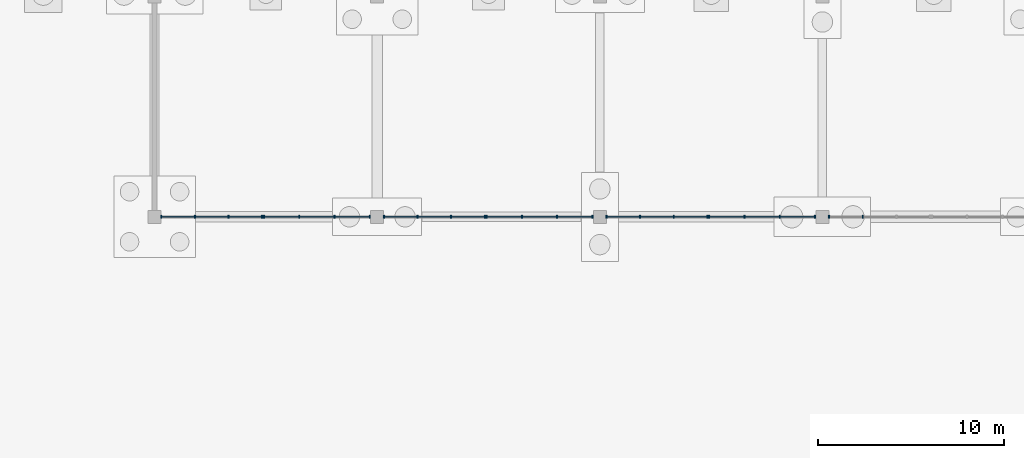
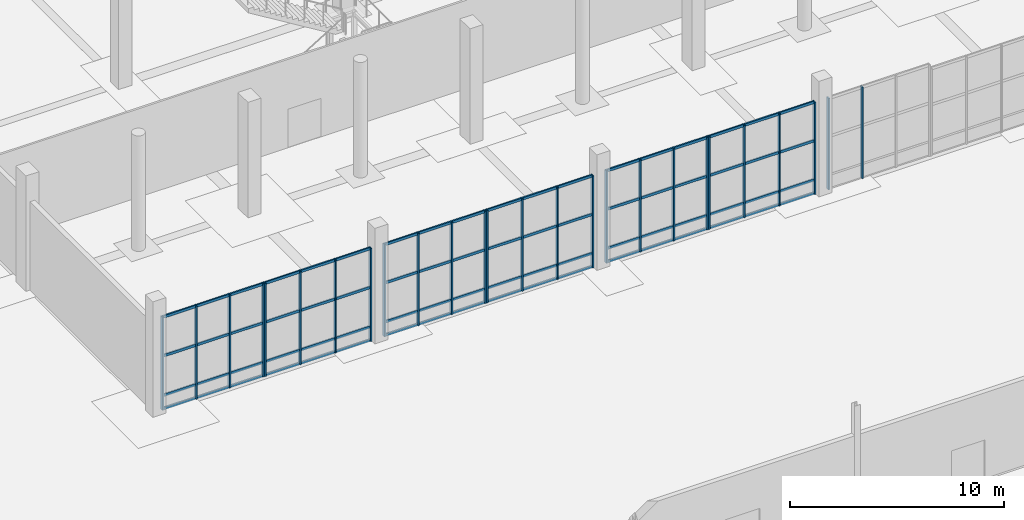
# One storey, part 47 of 117: 50 members, 7 elements without a shape of their own.
"""IFC4 building model written with IfcOpenShell, lengths in metres."""

from ifc_helpers import new_model, si_unit, direction, frame, origin, origin_2d, place, context, subcontext, project, spatial, rectangle, extrude, material, material_profile, profile_set, type_object, element, aggregate, save


model = new_model("IFC4")

# Units and contexts
model_context = context("Model", 3, precision=1e-05, world=origin(), true_north=direction((0.0, 1.0)))
body_context = subcontext(model_context, "Body", "Model", "MODEL_VIEW")
ifc_project = project(units=[si_unit("LENGTHUNIT", "METRE"), si_unit("AREAUNIT", "SQUARE_METRE"), si_unit("VOLUMEUNIT", "CUBIC_METRE"), si_unit("PLANEANGLEUNIT", "RADIAN"), si_unit("MASSUNIT", "GRAM", prefix="KILO")], contexts=[model_context])

# Site, building, storey
site_placement = place(None, origin())
site = spatial("IfcSite", under=ifc_project, at=site_placement, CompositionType="ELEMENT")
building_placement = place(site_placement, origin())
building = spatial("IfcBuilding", under=site, at=building_placement, Name="Kamomehara Wholesale Market", CompositionType="ELEMENT")
storey_placement = place(building_placement, origin())
storey = spatial("IfcBuildingStorey", under=building, at=storey_placement, Name="L00", CompositionType="ELEMENT", Elevation=0.0)

# Curtain wall, members
ifc_material_1 = material(Name="Anodised aluminium 6063-T5", Category="aluminium")
curtain_wall_type = type_object("IfcCurtainWallType", Name="CW-UN-03", PredefinedType="NOTDEFINED", material=ifc_material_1)
curtain_wall_1_placement = place(storey_placement, origin())
curtain_wall_1 = element("IfcCurtainWall", 1, at=curtain_wall_1_placement, inside=storey, type_object=curtain_wall_type, Name="Unitised curtain wall CW-015", PredefinedType="NOTDEFINED")
ifc_material_2 = material(Name="Anodised aluminium 6063-T5", Category="aluminium")
ifc_material_profile_1 = material_profile(ifc_material_2, rectangle(XDim=0.074951171875, YDim=0.179931640625, at=origin_2d()), Name="ALU-MUL-75x180")
ifc_profile_set_1 = profile_set([ifc_material_profile_1], Name="Anodised aluminium 6063-T5")
member_type_1 = type_object("IfcMemberType", Name="CW-MUL-180", PredefinedType="MULLION", material=ifc_profile_set_1)
member_1_placement = place(storey_placement, frame((83.60009765625, 96.0, 0.0), z_axis=(0.0, 0.0, 1.0), x_axis=(-1.0, 0.0, 0.0)))
member_1 = element("IfcMember", 2, at=member_1_placement, type_object=member_type_1, Name="Mullion CW-015.0", PredefinedType="MULLION", context=body_context, shape_type="SweptSolid", body=[
    extrude(rectangle(XDim=0.074951171875, YDim=0.179931640625, at=origin_2d()), origin(), (0.0, 0.0, 1.0), 5.318115234375),
])
member_2_placement = place(storey_placement, frame((81.699951171875, 96.0, 0.0), z_axis=(0.0, 0.0, 1.0), x_axis=(-1.0, 0.0, 0.0)))
member_2 = element("IfcMember", 3, at=member_2_placement, type_object=member_type_1, Name="Mullion CW-015.1", PredefinedType="MULLION", context=body_context, shape_type="SweptSolid", body=[
    extrude(rectangle(XDim=0.074951171875, YDim=0.179931640625, at=origin_2d()), origin(), (0.0, 0.0, 1.0), 5.318115234375),
])
member_3_placement = place(storey_placement, frame((79.800048828125, 96.0, 0.0), z_axis=(0.0, 0.0, 1.0), x_axis=(-1.0, 0.0, 0.0)))
member_3 = element("IfcMember", 4, at=member_3_placement, type_object=member_type_1, Name="Mullion CW-015.2", PredefinedType="MULLION", context=body_context, shape_type="SweptSolid", body=[
    extrude(rectangle(XDim=0.074951171875, YDim=0.179931640625, at=origin_2d()), origin(), (0.0, 0.0, 1.0), 5.318115234375),
])
member_4_placement = place(storey_placement, frame((77.89990234375, 96.0, 0.0), z_axis=(0.0, 0.0, 1.0), x_axis=(-1.0, 0.0, 0.0)))
member_4 = element("IfcMember", 5, at=member_4_placement, type_object=member_type_1, Name="Mullion CW-015.3", PredefinedType="MULLION", context=body_context, shape_type="SweptSolid", body=[
    extrude(rectangle(XDim=0.074951171875, YDim=0.179931640625, at=origin_2d()), origin(), (0.0, 0.0, 1.0), 5.318115234375),
])

curtain_wall_2_placement = place(storey_placement, origin())
curtain_wall_2 = element("IfcCurtainWall", 6, at=curtain_wall_2_placement, inside=storey, type_object=curtain_wall_type, Name="Unitised curtain wall CW-016", PredefinedType="NOTDEFINED")
member_5_placement = place(storey_placement, frame((77.800048828125, 96.0, 0.0), z_axis=(0.0, 0.0, 1.0), x_axis=(-1.0, 0.0, 0.0)))
member_5 = element("IfcMember", 7, at=member_5_placement, type_object=member_type_1, Name="Mullion CW-016.0", PredefinedType="MULLION", context=body_context, shape_type="SweptSolid", body=[
    extrude(rectangle(XDim=0.074951171875, YDim=0.179931640625, at=origin_2d()), origin(), (0.0, 0.0, 1.0), 5.318115234375),
])
member_6_placement = place(storey_placement, frame((75.987060546875, 96.0, 0.0), z_axis=(0.0, 0.0, 1.0), x_axis=(-1.0, 0.0, 0.0)))
member_6 = element("IfcMember", 8, at=member_6_placement, type_object=member_type_1, Name="Mullion CW-016.1", PredefinedType="MULLION", context=body_context, shape_type="SweptSolid", body=[
    extrude(rectangle(XDim=0.074951171875, YDim=0.179931640625, at=origin_2d()), origin(), (0.0, 0.0, 1.0), 5.318115234375),
])
member_7_placement = place(storey_placement, frame((74.173095703125, 96.0, 0.0), z_axis=(0.0, 0.0, 1.0), x_axis=(-1.0, 0.0, 0.0)))
member_7 = element("IfcMember", 9, at=member_7_placement, type_object=member_type_1, Name="Mullion CW-016.2", PredefinedType="MULLION", context=body_context, shape_type="SweptSolid", body=[
    extrude(rectangle(XDim=0.074951171875, YDim=0.179931640625, at=origin_2d()), origin(), (0.0, 0.0, 1.0), 5.318115234375),
])
member_8_placement = place(storey_placement, frame((72.360107421875, 96.0, 0.0), z_axis=(0.0, 0.0, 1.0), x_axis=(-1.0, 0.0, 0.0)))
member_8 = element("IfcMember", 10, at=member_8_placement, type_object=member_type_1, Name="Mullion CW-016.3", PredefinedType="MULLION", context=body_context, shape_type="SweptSolid", body=[
    extrude(rectangle(XDim=0.074951171875, YDim=0.179931640625, at=origin_2d()), origin(), (0.0, 0.0, 1.0), 5.318115234375),
])

curtain_wall_3_placement = place(storey_placement, origin())
curtain_wall_3 = element("IfcCurtainWall", 11, at=curtain_wall_3_placement, inside=storey, type_object=curtain_wall_type, Name="Unitised curtain wall CW-017", PredefinedType="NOTDEFINED")
member_9_placement = place(storey_placement, frame((95.60009765625, 96.0, 0.0), z_axis=(0.0, 0.0, 1.0), x_axis=(-1.0, 0.0, 0.0)))
member_9 = element("IfcMember", 12, at=member_9_placement, type_object=member_type_1, Name="Mullion CW-017.0", PredefinedType="MULLION", context=body_context, shape_type="SweptSolid", body=[
    extrude(rectangle(XDim=0.074951171875, YDim=0.179931640625, at=origin_2d()), origin(), (0.0, 0.0, 1.0), 5.26806640625),
])
member_10_placement = place(storey_placement, frame((93.699951171875, 96.0, 0.0), z_axis=(0.0, 0.0, 1.0), x_axis=(-1.0, 0.0, 0.0)))
member_10 = element("IfcMember", 13, at=member_10_placement, type_object=member_type_1, Name="Mullion CW-017.1", PredefinedType="MULLION", context=body_context, shape_type="SweptSolid", body=[
    extrude(rectangle(XDim=0.074951171875, YDim=0.179931640625, at=origin_2d()), origin(), (0.0, 0.0, 1.0), 5.26806640625),
])
member_11_placement = place(storey_placement, frame((91.800048828125, 96.0, 0.0), z_axis=(0.0, 0.0, 1.0), x_axis=(-1.0, 0.0, 0.0)))
member_11 = element("IfcMember", 14, at=member_11_placement, type_object=member_type_1, Name="Mullion CW-017.2", PredefinedType="MULLION", context=body_context, shape_type="SweptSolid", body=[
    extrude(rectangle(XDim=0.074951171875, YDim=0.179931640625, at=origin_2d()), origin(), (0.0, 0.0, 1.0), 5.26806640625),
])
member_12_placement = place(storey_placement, frame((89.89990234375, 96.0, 0.0), z_axis=(0.0, 0.0, 1.0), x_axis=(-1.0, 0.0, 0.0)))
member_12 = element("IfcMember", 15, at=member_12_placement, type_object=member_type_1, Name="Mullion CW-017.3", PredefinedType="MULLION", context=body_context, shape_type="SweptSolid", body=[
    extrude(rectangle(XDim=0.074951171875, YDim=0.179931640625, at=origin_2d()), origin(), (0.0, 0.0, 1.0), 5.26806640625),
])

curtain_wall_4_placement = place(storey_placement, origin())
curtain_wall_4 = element("IfcCurtainWall", 16, at=curtain_wall_4_placement, inside=storey, type_object=curtain_wall_type, Name="Unitised curtain wall CW-018", PredefinedType="NOTDEFINED")
member_13_placement = place(storey_placement, frame((89.800048828125, 96.0, 0.0), z_axis=(0.0, 0.0, 1.0), x_axis=(-1.0, 0.0, 0.0)))
member_13 = element("IfcMember", 17, at=member_13_placement, type_object=member_type_1, Name="Mullion CW-018.0", PredefinedType="MULLION", context=body_context, shape_type="SweptSolid", body=[
    extrude(rectangle(XDim=0.074951171875, YDim=0.179931640625, at=origin_2d()), origin(), (0.0, 0.0, 1.0), 5.26806640625),
])
member_14_placement = place(storey_placement, frame((87.987060546875, 96.0, 0.0), z_axis=(0.0, 0.0, 1.0), x_axis=(-1.0, 0.0, 0.0)))
member_14 = element("IfcMember", 18, at=member_14_placement, type_object=member_type_1, Name="Mullion CW-018.1", PredefinedType="MULLION", context=body_context, shape_type="SweptSolid", body=[
    extrude(rectangle(XDim=0.074951171875, YDim=0.179931640625, at=origin_2d()), origin(), (0.0, 0.0, 1.0), 5.26806640625),
])
member_15_placement = place(storey_placement, frame((86.173095703125, 96.0, 0.0), z_axis=(0.0, 0.0, 1.0), x_axis=(-1.0, 0.0, 0.0)))
member_15 = element("IfcMember", 19, at=member_15_placement, type_object=member_type_1, Name="Mullion CW-018.2", PredefinedType="MULLION", context=body_context, shape_type="SweptSolid", body=[
    extrude(rectangle(XDim=0.074951171875, YDim=0.179931640625, at=origin_2d()), origin(), (0.0, 0.0, 1.0), 5.26806640625),
])
member_16_placement = place(storey_placement, frame((84.360107421875, 96.0, 0.0), z_axis=(0.0, 0.0, 1.0), x_axis=(-1.0, 0.0, 0.0)))
member_16 = element("IfcMember", 20, at=member_16_placement, type_object=member_type_1, Name="Mullion CW-018.3", PredefinedType="MULLION", context=body_context, shape_type="SweptSolid", body=[
    extrude(rectangle(XDim=0.074951171875, YDim=0.179931640625, at=origin_2d()), origin(), (0.0, 0.0, 1.0), 5.26806640625),
])

curtain_wall_5_placement = place(storey_placement, origin())
curtain_wall_5 = element("IfcCurtainWall", 21, at=curtain_wall_5_placement, inside=storey, type_object=curtain_wall_type, Name="Unitised curtain wall CW-019", PredefinedType="NOTDEFINED")
member_17_placement = place(storey_placement, frame((107.60009765625, 96.0, 0.0), z_axis=(0.0, 0.0, 1.0), x_axis=(-1.0, 0.0, 0.0)))
member_17 = element("IfcMember", 22, at=member_17_placement, type_object=member_type_1, Name="Mullion CW-019.0", PredefinedType="MULLION", context=body_context, shape_type="SweptSolid", body=[
    extrude(rectangle(XDim=0.074951171875, YDim=0.179931640625, at=origin_2d()), origin(), (0.0, 0.0, 1.0), 5.278076171875),
])
member_18_placement = place(storey_placement, frame((105.699951171875, 96.0, 0.0), z_axis=(0.0, 0.0, 1.0), x_axis=(-1.0, 0.0, 0.0)))
member_18 = element("IfcMember", 23, at=member_18_placement, type_object=member_type_1, Name="Mullion CW-019.1", PredefinedType="MULLION", context=body_context, shape_type="SweptSolid", body=[
    extrude(rectangle(XDim=0.074951171875, YDim=0.179931640625, at=origin_2d()), origin(), (0.0, 0.0, 1.0), 5.278076171875),
])
member_19_placement = place(storey_placement, frame((103.800048828125, 96.0, 0.0), z_axis=(0.0, 0.0, 1.0), x_axis=(-1.0, 0.0, 0.0)))
member_19 = element("IfcMember", 24, at=member_19_placement, type_object=member_type_1, Name="Mullion CW-019.2", PredefinedType="MULLION", context=body_context, shape_type="SweptSolid", body=[
    extrude(rectangle(XDim=0.074951171875, YDim=0.179931640625, at=origin_2d()), origin(), (0.0, 0.0, 1.0), 5.278076171875),
])
member_20_placement = place(storey_placement, frame((101.89990234375, 96.0, 0.0), z_axis=(0.0, 0.0, 1.0), x_axis=(-1.0, 0.0, 0.0)))
member_20 = element("IfcMember", 25, at=member_20_placement, type_object=member_type_1, Name="Mullion CW-019.3", PredefinedType="MULLION", context=body_context, shape_type="SweptSolid", body=[
    extrude(rectangle(XDim=0.074951171875, YDim=0.179931640625, at=origin_2d()), origin(), (0.0, 0.0, 1.0), 5.278076171875),
])

curtain_wall_6_placement = place(storey_placement, origin())
curtain_wall_6 = element("IfcCurtainWall", 26, at=curtain_wall_6_placement, inside=storey, type_object=curtain_wall_type, Name="Unitised curtain wall CW-020", PredefinedType="NOTDEFINED")
member_21_placement = place(storey_placement, frame((101.800048828125, 96.0, 0.0), z_axis=(0.0, 0.0, 1.0), x_axis=(-1.0, 0.0, 0.0)))
member_21 = element("IfcMember", 27, at=member_21_placement, type_object=member_type_1, Name="Mullion CW-020.0", PredefinedType="MULLION", context=body_context, shape_type="SweptSolid", body=[
    extrude(rectangle(XDim=0.074951171875, YDim=0.179931640625, at=origin_2d()), origin(), (0.0, 0.0, 1.0), 5.278076171875),
])
member_22_placement = place(storey_placement, frame((99.987060546875, 96.0, 0.0), z_axis=(0.0, 0.0, 1.0), x_axis=(-1.0, 0.0, 0.0)))
member_22 = element("IfcMember", 28, at=member_22_placement, type_object=member_type_1, Name="Mullion CW-020.1", PredefinedType="MULLION", context=body_context, shape_type="SweptSolid", body=[
    extrude(rectangle(XDim=0.074951171875, YDim=0.179931640625, at=origin_2d()), origin(), (0.0, 0.0, 1.0), 5.278076171875),
])
member_23_placement = place(storey_placement, frame((98.173095703125, 96.0, 0.0), z_axis=(0.0, 0.0, 1.0), x_axis=(-1.0, 0.0, 0.0)))
member_23 = element("IfcMember", 29, at=member_23_placement, type_object=member_type_1, Name="Mullion CW-020.2", PredefinedType="MULLION", context=body_context, shape_type="SweptSolid", body=[
    extrude(rectangle(XDim=0.074951171875, YDim=0.179931640625, at=origin_2d()), origin(), (0.0, 0.0, 1.0), 5.278076171875),
])
member_24_placement = place(storey_placement, frame((96.360107421875, 96.0, 0.0), z_axis=(0.0, 0.0, 1.0), x_axis=(-1.0, 0.0, 0.0)))
member_24 = element("IfcMember", 30, at=member_24_placement, type_object=member_type_1, Name="Mullion CW-020.3", PredefinedType="MULLION", context=body_context, shape_type="SweptSolid", body=[
    extrude(rectangle(XDim=0.074951171875, YDim=0.179931640625, at=origin_2d()), origin(), (0.0, 0.0, 1.0), 5.278076171875),
])

curtain_wall_7_placement = place(storey_placement, origin())
curtain_wall_7 = element("IfcCurtainWall", 31, at=curtain_wall_7_placement, inside=storey, type_object=curtain_wall_type, Name="Unitised curtain wall CW-022", PredefinedType="NOTDEFINED")
member_25_placement = place(storey_placement, frame((110.173095703125, 96.0, 0.0), z_axis=(0.0, 0.0, 1.0), x_axis=(-1.0, 0.0, 0.0)))
member_25 = element("IfcMember", 32, at=member_25_placement, type_object=member_type_1, Name="Mullion CW-022.2", PredefinedType="MULLION", context=body_context, shape_type="SweptSolid", body=[
    extrude(rectangle(XDim=0.074951171875, YDim=0.179931640625, at=origin_2d()), origin(), (0.0, 0.0, 1.0), 5.22802734375),
])
member_26_placement = place(storey_placement, frame((108.360107421875, 96.0, 0.0), z_axis=(0.0, 0.0, 1.0), x_axis=(-1.0, 0.0, 0.0)))
member_26 = element("IfcMember", 33, at=member_26_placement, type_object=member_type_1, Name="Mullion CW-022.3", PredefinedType="MULLION", context=body_context, shape_type="SweptSolid", body=[
    extrude(rectangle(XDim=0.074951171875, YDim=0.179931640625, at=origin_2d()), origin(), (0.0, 0.0, 1.0), 5.22802734375),
])
aggregate(curtain_wall_7, [member_25, member_26])

# Member
ifc_material_3 = material(Name="Anodised aluminium 6063-T5", Category="aluminium")
ifc_material_profile_2 = material_profile(ifc_material_3, rectangle(XDim=0.074951171875, YDim=0.14990234375, at=origin_2d()), Name="ALU-TRN-75x150")
ifc_profile_set_2 = profile_set([ifc_material_profile_2], Name="Anodised aluminium 6063-T5")
member_type_2 = type_object("IfcMemberType", Name="CW-TRN-150", PredefinedType="USERDEFINED", material=ifc_profile_set_2)
member_27_placement = place(storey_placement, frame((83.60009765625, 96.0, 0.0400390625), z_axis=(-1.0, 0.0, 0.0), x_axis=(0.0, -1.0, 0.0)))
member_27 = element("IfcMember", 34, at=member_27_placement, type_object=member_type_2, Name="Transom CW-015.0", ObjectType="TRANSOM", PredefinedType="USERDEFINED", context=body_context, shape_type="SweptSolid", body=[
    extrude(rectangle(XDim=0.074951171875, YDim=0.14990234375, at=origin_2d()), origin(), (0.0, 0.0, 1.0), 5.7001953125),
])

member_28_placement = place(storey_placement, frame((83.60009765625, 96.0, 0.800048828125), z_axis=(-1.0, 0.0, 0.0), x_axis=(0.0, -1.0, 0.0)))
member_28 = element("IfcMember", 35, at=member_28_placement, type_object=member_type_2, Name="Transom CW-015.1", ObjectType="TRANSOM", PredefinedType="USERDEFINED", context=body_context, shape_type="SweptSolid", body=[
    extrude(rectangle(XDim=0.074951171875, YDim=0.14990234375, at=origin_2d()), origin(), (0.0, 0.0, 1.0), 5.7001953125),
])

member_29_placement = place(storey_placement, frame((83.60009765625, 96.0, 3.05908203125), z_axis=(-1.0, 0.0, 0.0), x_axis=(0.0, -1.0, 0.0)))
member_29 = element("IfcMember", 36, at=member_29_placement, type_object=member_type_2, Name="Transom CW-015.2", ObjectType="TRANSOM", PredefinedType="USERDEFINED", context=body_context, shape_type="SweptSolid", body=[
    extrude(rectangle(XDim=0.074951171875, YDim=0.14990234375, at=origin_2d()), origin(), (0.0, 0.0, 1.0), 5.7001953125),
])

member_30_placement = place(storey_placement, frame((83.60009765625, 96.0, 5.278076171875), z_axis=(-1.0, 0.0, 0.0), x_axis=(0.0, -1.0, 0.0)))
member_30 = element("IfcMember", 37, at=member_30_placement, type_object=member_type_2, Name="Transom CW-015.3", ObjectType="TRANSOM", PredefinedType="USERDEFINED", context=body_context, shape_type="SweptSolid", body=[
    extrude(rectangle(XDim=0.074951171875, YDim=0.14990234375, at=origin_2d()), origin(), (0.0, 0.0, 1.0), 5.7001953125),
])

aggregate(curtain_wall_1, [member_1, member_2, member_3, member_4, member_27, member_28, member_29, member_30])

member_31_placement = place(storey_placement, frame((77.800048828125, 96.0, 0.0400390625), z_axis=(-1.0, 0.0, 0.0), x_axis=(0.0, -1.0, 0.0)))
member_31 = element("IfcMember", 38, at=member_31_placement, type_object=member_type_2, Name="Transom CW-016.0", ObjectType="TRANSOM", PredefinedType="USERDEFINED", context=body_context, shape_type="SweptSolid", body=[
    extrude(rectangle(XDim=0.074951171875, YDim=0.14990234375, at=origin_2d()), origin(), (0.0, 0.0, 1.0), 5.43994140625),
])

member_32_placement = place(storey_placement, frame((77.800048828125, 96.0, 0.800048828125), z_axis=(-1.0, 0.0, 0.0), x_axis=(0.0, -1.0, 0.0)))
member_32 = element("IfcMember", 39, at=member_32_placement, type_object=member_type_2, Name="Transom CW-016.1", ObjectType="TRANSOM", PredefinedType="USERDEFINED", context=body_context, shape_type="SweptSolid", body=[
    extrude(rectangle(XDim=0.074951171875, YDim=0.14990234375, at=origin_2d()), origin(), (0.0, 0.0, 1.0), 5.43994140625),
])

member_33_placement = place(storey_placement, frame((77.800048828125, 96.0, 3.05908203125), z_axis=(-1.0, 0.0, 0.0), x_axis=(0.0, -1.0, 0.0)))
member_33 = element("IfcMember", 40, at=member_33_placement, type_object=member_type_2, Name="Transom CW-016.2", ObjectType="TRANSOM", PredefinedType="USERDEFINED", context=body_context, shape_type="SweptSolid", body=[
    extrude(rectangle(XDim=0.074951171875, YDim=0.14990234375, at=origin_2d()), origin(), (0.0, 0.0, 1.0), 5.43994140625),
])

member_34_placement = place(storey_placement, frame((77.800048828125, 96.0, 5.278076171875), z_axis=(-1.0, 0.0, 0.0), x_axis=(0.0, -1.0, 0.0)))
member_34 = element("IfcMember", 41, at=member_34_placement, type_object=member_type_2, Name="Transom CW-016.3", ObjectType="TRANSOM", PredefinedType="USERDEFINED", context=body_context, shape_type="SweptSolid", body=[
    extrude(rectangle(XDim=0.074951171875, YDim=0.14990234375, at=origin_2d()), origin(), (0.0, 0.0, 1.0), 5.43994140625),
])

aggregate(curtain_wall_2, [member_5, member_6, member_7, member_8, member_31, member_32, member_33, member_34])

member_35_placement = place(storey_placement, frame((95.60009765625, 96.0, 0.0400390625), z_axis=(-1.0, 0.0, 0.0), x_axis=(0.0, -1.0, 0.0)))
member_35 = element("IfcMember", 42, at=member_35_placement, type_object=member_type_2, Name="Transom CW-017.0", ObjectType="TRANSOM", PredefinedType="USERDEFINED", context=body_context, shape_type="SweptSolid", body=[
    extrude(rectangle(XDim=0.074951171875, YDim=0.14990234375, at=origin_2d()), origin(), (0.0, 0.0, 1.0), 5.7001953125),
])

member_36_placement = place(storey_placement, frame((95.60009765625, 96.0, 0.800048828125), z_axis=(-1.0, 0.0, 0.0), x_axis=(0.0, -1.0, 0.0)))
member_36 = element("IfcMember", 43, at=member_36_placement, type_object=member_type_2, Name="Transom CW-017.1", ObjectType="TRANSOM", PredefinedType="USERDEFINED", context=body_context, shape_type="SweptSolid", body=[
    extrude(rectangle(XDim=0.074951171875, YDim=0.14990234375, at=origin_2d()), origin(), (0.0, 0.0, 1.0), 5.7001953125),
])

member_37_placement = place(storey_placement, frame((95.60009765625, 96.0, 3.033935546875), z_axis=(-1.0, 0.0, 0.0), x_axis=(0.0, -1.0, 0.0)))
member_37 = element("IfcMember", 44, at=member_37_placement, type_object=member_type_2, Name="Transom CW-017.2", ObjectType="TRANSOM", PredefinedType="USERDEFINED", context=body_context, shape_type="SweptSolid", body=[
    extrude(rectangle(XDim=0.074951171875, YDim=0.14990234375, at=origin_2d()), origin(), (0.0, 0.0, 1.0), 5.7001953125),
])

member_38_placement = place(storey_placement, frame((95.60009765625, 96.0, 5.22802734375), z_axis=(-1.0, 0.0, 0.0), x_axis=(0.0, -1.0, 0.0)))
member_38 = element("IfcMember", 45, at=member_38_placement, type_object=member_type_2, Name="Transom CW-017.3", ObjectType="TRANSOM", PredefinedType="USERDEFINED", context=body_context, shape_type="SweptSolid", body=[
    extrude(rectangle(XDim=0.074951171875, YDim=0.14990234375, at=origin_2d()), origin(), (0.0, 0.0, 1.0), 5.7001953125),
])

aggregate(curtain_wall_3, [member_9, member_10, member_11, member_12, member_35, member_36, member_37, member_38])

member_39_placement = place(storey_placement, frame((89.800048828125, 96.0, 0.0400390625), z_axis=(-1.0, 0.0, 0.0), x_axis=(0.0, -1.0, 0.0)))
member_39 = element("IfcMember", 46, at=member_39_placement, type_object=member_type_2, Name="Transom CW-018.0", ObjectType="TRANSOM", PredefinedType="USERDEFINED", context=body_context, shape_type="SweptSolid", body=[
    extrude(rectangle(XDim=0.074951171875, YDim=0.14990234375, at=origin_2d()), origin(), (0.0, 0.0, 1.0), 5.43994140625),
])

member_40_placement = place(storey_placement, frame((89.800048828125, 96.0, 0.800048828125), z_axis=(-1.0, 0.0, 0.0), x_axis=(0.0, -1.0, 0.0)))
member_40 = element("IfcMember", 47, at=member_40_placement, type_object=member_type_2, Name="Transom CW-018.1", ObjectType="TRANSOM", PredefinedType="USERDEFINED", context=body_context, shape_type="SweptSolid", body=[
    extrude(rectangle(XDim=0.074951171875, YDim=0.14990234375, at=origin_2d()), origin(), (0.0, 0.0, 1.0), 5.43994140625),
])

member_41_placement = place(storey_placement, frame((89.800048828125, 96.0, 3.033935546875), z_axis=(-1.0, 0.0, 0.0), x_axis=(0.0, -1.0, 0.0)))
member_41 = element("IfcMember", 48, at=member_41_placement, type_object=member_type_2, Name="Transom CW-018.2", ObjectType="TRANSOM", PredefinedType="USERDEFINED", context=body_context, shape_type="SweptSolid", body=[
    extrude(rectangle(XDim=0.074951171875, YDim=0.14990234375, at=origin_2d()), origin(), (0.0, 0.0, 1.0), 5.43994140625),
])

member_42_placement = place(storey_placement, frame((89.800048828125, 96.0, 5.22802734375), z_axis=(-1.0, 0.0, 0.0), x_axis=(0.0, -1.0, 0.0)))
member_42 = element("IfcMember", 49, at=member_42_placement, type_object=member_type_2, Name="Transom CW-018.3", ObjectType="TRANSOM", PredefinedType="USERDEFINED", context=body_context, shape_type="SweptSolid", body=[
    extrude(rectangle(XDim=0.074951171875, YDim=0.14990234375, at=origin_2d()), origin(), (0.0, 0.0, 1.0), 5.43994140625),
])

aggregate(curtain_wall_4, [member_13, member_14, member_15, member_16, member_39, member_40, member_41, member_42])

member_43_placement = place(storey_placement, frame((107.60009765625, 96.0, 0.0400390625), z_axis=(-1.0, 0.0, 0.0), x_axis=(0.0, -1.0, 0.0)))
member_43 = element("IfcMember", 50, at=member_43_placement, type_object=member_type_2, Name="Transom CW-019.0", ObjectType="TRANSOM", PredefinedType="USERDEFINED", context=body_context, shape_type="SweptSolid", body=[
    extrude(rectangle(XDim=0.074951171875, YDim=0.14990234375, at=origin_2d()), origin(), (0.0, 0.0, 1.0), 5.7001953125),
])

member_44_placement = place(storey_placement, frame((107.60009765625, 96.0, 0.800048828125), z_axis=(-1.0, 0.0, 0.0), x_axis=(0.0, -1.0, 0.0)))
member_44 = element("IfcMember", 51, at=member_44_placement, type_object=member_type_2, Name="Transom CW-019.1", ObjectType="TRANSOM", PredefinedType="USERDEFINED", context=body_context, shape_type="SweptSolid", body=[
    extrude(rectangle(XDim=0.074951171875, YDim=0.14990234375, at=origin_2d()), origin(), (0.0, 0.0, 1.0), 5.7001953125),
])

member_45_placement = place(storey_placement, frame((107.60009765625, 96.0, 3.0390625), z_axis=(-1.0, 0.0, 0.0), x_axis=(0.0, -1.0, 0.0)))
member_45 = element("IfcMember", 52, at=member_45_placement, type_object=member_type_2, Name="Transom CW-019.2", ObjectType="TRANSOM", PredefinedType="USERDEFINED", context=body_context, shape_type="SweptSolid", body=[
    extrude(rectangle(XDim=0.074951171875, YDim=0.14990234375, at=origin_2d()), origin(), (0.0, 0.0, 1.0), 5.7001953125),
])

member_46_placement = place(storey_placement, frame((107.60009765625, 96.0, 5.238037109375), z_axis=(-1.0, 0.0, 0.0), x_axis=(0.0, -1.0, 0.0)))
member_46 = element("IfcMember", 53, at=member_46_placement, type_object=member_type_2, Name="Transom CW-019.3", ObjectType="TRANSOM", PredefinedType="USERDEFINED", context=body_context, shape_type="SweptSolid", body=[
    extrude(rectangle(XDim=0.074951171875, YDim=0.14990234375, at=origin_2d()), origin(), (0.0, 0.0, 1.0), 5.7001953125),
])

aggregate(curtain_wall_5, [member_17, member_18, member_19, member_20, member_43, member_44, member_45, member_46])

member_47_placement = place(storey_placement, frame((101.800048828125, 96.0, 0.0400390625), z_axis=(-1.0, 0.0, 0.0), x_axis=(0.0, -1.0, 0.0)))
member_47 = element("IfcMember", 54, at=member_47_placement, type_object=member_type_2, Name="Transom CW-020.0", ObjectType="TRANSOM", PredefinedType="USERDEFINED", context=body_context, shape_type="SweptSolid", body=[
    extrude(rectangle(XDim=0.074951171875, YDim=0.14990234375, at=origin_2d()), origin(), (0.0, 0.0, 1.0), 5.43994140625),
])

member_48_placement = place(storey_placement, frame((101.800048828125, 96.0, 0.800048828125), z_axis=(-1.0, 0.0, 0.0), x_axis=(0.0, -1.0, 0.0)))
member_48 = element("IfcMember", 55, at=member_48_placement, type_object=member_type_2, Name="Transom CW-020.1", ObjectType="TRANSOM", PredefinedType="USERDEFINED", context=body_context, shape_type="SweptSolid", body=[
    extrude(rectangle(XDim=0.074951171875, YDim=0.14990234375, at=origin_2d()), origin(), (0.0, 0.0, 1.0), 5.43994140625),
])

member_49_placement = place(storey_placement, frame((101.800048828125, 96.0, 3.0390625), z_axis=(-1.0, 0.0, 0.0), x_axis=(0.0, -1.0, 0.0)))
member_49 = element("IfcMember", 56, at=member_49_placement, type_object=member_type_2, Name="Transom CW-020.2", ObjectType="TRANSOM", PredefinedType="USERDEFINED", context=body_context, shape_type="SweptSolid", body=[
    extrude(rectangle(XDim=0.074951171875, YDim=0.14990234375, at=origin_2d()), origin(), (0.0, 0.0, 1.0), 5.43994140625),
])

member_50_placement = place(storey_placement, frame((101.800048828125, 96.0, 5.238037109375), z_axis=(-1.0, 0.0, 0.0), x_axis=(0.0, -1.0, 0.0)))
member_50 = element("IfcMember", 57, at=member_50_placement, type_object=member_type_2, Name="Transom CW-020.3", ObjectType="TRANSOM", PredefinedType="USERDEFINED", context=body_context, shape_type="SweptSolid", body=[
    extrude(rectangle(XDim=0.074951171875, YDim=0.14990234375, at=origin_2d()), origin(), (0.0, 0.0, 1.0), 5.43994140625),
])

aggregate(curtain_wall_6, [member_21, member_22, member_23, member_24, member_47, member_48, member_49, member_50])

save(model, "model.ifc")
